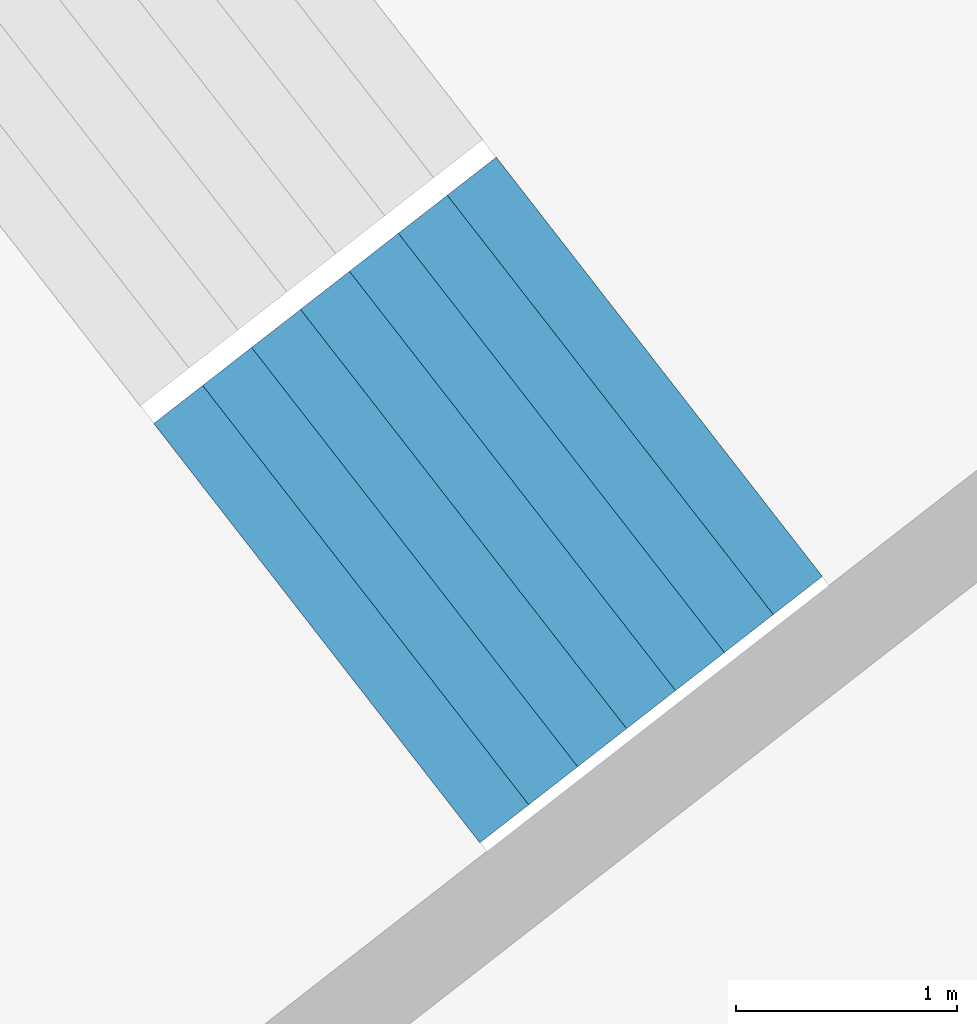
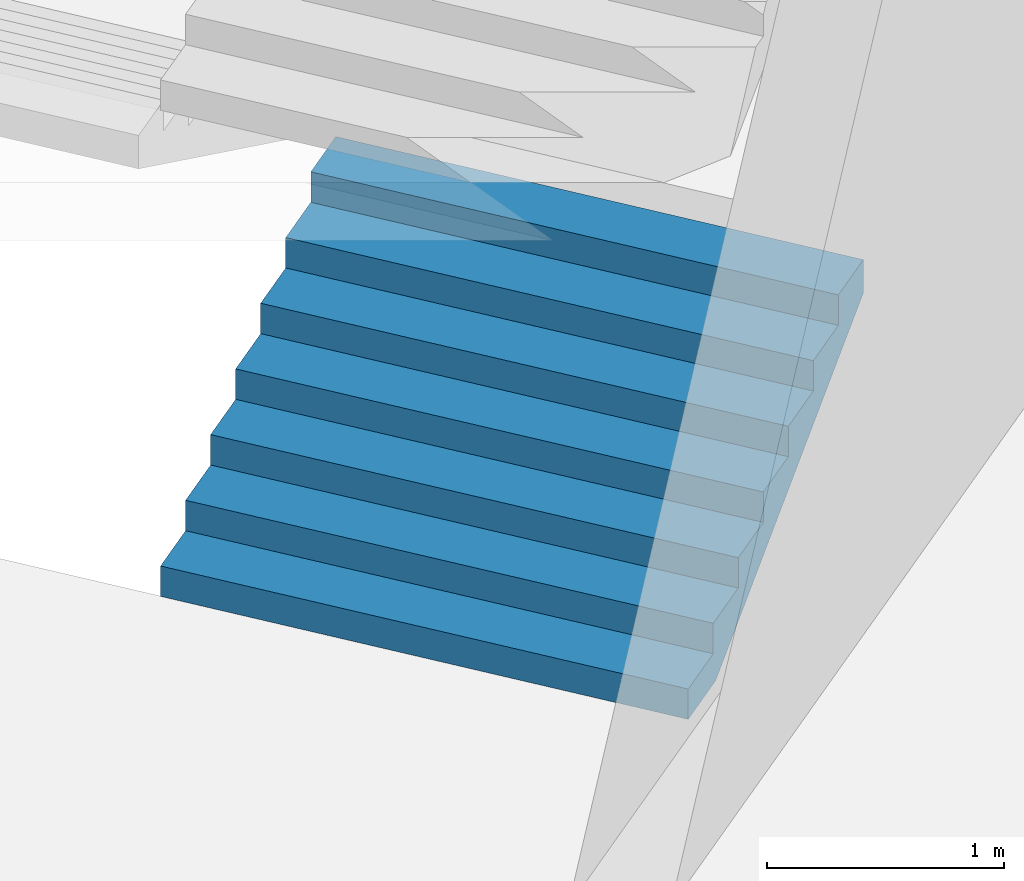
# One storey, part 61 of 73: 1 stair flight, 1 element without a shape of its own.
"""IFC4 building model written with IfcOpenShell, lengths in metres."""

from ifc_helpers import new_model, si_unit, direction, frame, origin, place, context, subcontext, project, spatial, triangles, material, type_object, element, aggregate, save


model = new_model("IFC4")

# Units and contexts
model_context = context("Model", 3, precision=1e-05, world=origin(), true_north=direction((0.0, 1.0)))
body_context = subcontext(model_context, "Body", "Model", "MODEL_VIEW")
ifc_project = project(units=[si_unit("LENGTHUNIT", "METRE"), si_unit("AREAUNIT", "SQUARE_METRE"), si_unit("VOLUMEUNIT", "CUBIC_METRE"), si_unit("PLANEANGLEUNIT", "RADIAN"), si_unit("MASSUNIT", "GRAM", prefix="KILO")], contexts=[model_context])

# Site, building, storey
site_placement = place(None, origin())
site = spatial("IfcSite", under=ifc_project, at=site_placement, CompositionType="ELEMENT")
building_placement = place(site_placement, origin())
building = spatial("IfcBuilding", under=site, at=building_placement, Name="Lantaw Convention Tower", CompositionType="ELEMENT")
storey_placement = place(building_placement, frame((0.0, 0.0, 22.0)))
storey = spatial("IfcBuildingStorey", under=building, at=storey_placement, Name="L03", CompositionType="ELEMENT", Elevation=22.0)

# Stair, stair flight
ifc_material = material(Name="Concrete C35/45", Category="concrete")
stair_type = type_object("IfcStairType", Name="Exit stair 2400 riser 156.25 in 4 flights", PredefinedType="HALF_TURN_STAIR", material=ifc_material)
stair_placement = place(storey_placement, origin())
stair = element("IfcStair", 1, at=stair_placement, inside=storey, type_object=stair_type, Name="Podium exit stair P3 L03", PredefinedType="HALF_TURN_STAIR")
stair_flight_type = type_object("IfcStairFlightType", Name="Stair flight 2400 riser 156.25", PredefinedType="STRAIGHT", material=ifc_material)
stair_flight_placement = place(storey_placement, frame((29.494384765625, 21.3544921875, 0.0), z_axis=(0.0, 0.0, 1.0), x_axis=(0.789378829664, 0.613906396186, 0.0)))
stair_flight = element("IfcStairFlight", 2, at=stair_flight_placement, type_object=stair_flight_type, Name="P3 flight 1", NumberOfRisers=8, NumberOfTreads=7, PredefinedType="STRAIGHT", RiserHeight=0.15625, TreadLength=0.28, context=body_context, shape_type="Tessellation", body=[
    triangles([(0.0, 1.199951171875, 0.0), (0.0, 1.199951171875, 0.15625), (0.28, 1.199951171875, 0.0), (0.28, 1.199951171875, 0.15625), (0.28, 1.199951171875, 0.3125), (0.3076200632058044, 1.199951171875, 0.0), (0.3076200632058044, 1.199951171875, 0.3125), (0.56, 1.199951171875, 0.14083701830033238), (0.56, 1.199951171875, 0.3125), (0.56, 1.199951171875, 0.46875), (0.8400000000000001, 1.199951171875, 0.29708701830033235), (0.8400000000000001, 1.199951171875, 0.46875), (0.8400000000000001, 1.199951171875, 0.625), (1.12, 1.199951171875, 0.45333701830033235), (1.12, 1.199951171875, 0.625), (1.12, 1.199951171875, 0.78125), (1.4000000000000001, 1.199951171875, 0.6095870183003324), (1.4000000000000001, 1.199951171875, 0.78125), (1.4000000000000001, 1.199951171875, 0.9375), (1.6800000000000002, 1.199951171875, 0.7658370183003324), (1.6800000000000002, 1.199951171875, 0.9375), (1.6800000000000002, 1.199951171875, 1.09375), (1.9600000000000002, 1.199951171875, 0.9220870183003324), (1.9600000000000002, 1.199951171875, 1.09375), (0.0, -1.199951171875, 0.0), (0.0, -1.199951171875, 0.15625), (0.28, -1.199951171875, 0.0), (0.28, -1.199951171875, 0.15625), (0.28, -1.199951171875, 0.3125), (0.3076200632058044, -1.199951171875, 0.0), (0.3076200632058044, -1.199951171875, 0.3125), (0.56, -1.199951171875, 0.14083701830033238), (0.56, -1.199951171875, 0.3125), (0.56, -1.199951171875, 0.46875), (0.8400000000000001, -1.199951171875, 0.29708701830033235), (0.8400000000000001, -1.199951171875, 0.46875), (0.8400000000000001, -1.199951171875, 0.625), (1.12, -1.199951171875, 0.45333701830033235), (1.12, -1.199951171875, 0.625), (1.12, -1.199951171875, 0.78125), (1.4000000000000001, -1.199951171875, 0.6095870183003324), (1.4000000000000001, -1.199951171875, 0.78125), (1.4000000000000001, -1.199951171875, 0.9375), (1.6800000000000002, -1.199951171875, 0.7658370183003324), (1.6800000000000002, -1.199951171875, 0.9375), (1.6800000000000002, -1.199951171875, 1.09375), (1.9600000000000002, -1.199951171875, 0.9220870183003324), (1.9600000000000002, -1.199951171875, 1.09375), (0.0, 0.239990234375, 0.15625), (0.0, 0.239990234375, 0.0), (0.0, 0.1919921875, 0.15625), (0.0, 0.1919921875, 0.0), (0.0, 0.143994140625, 0.15625), (0.0, 0.143994140625, 0.0), (0.0, 0.09599609375, 0.15625), (0.0, 0.09599609375, 0.0), (0.0, 0.047998046875, 0.15625), (0.0, 0.047998046875, 0.0), (0.0, 0.0, 0.15625), (0.0, 0.0, 0.0), (0.0, -0.047998046875, 0.15625), (0.0, -0.047998046875, 0.0), (0.0, -0.09599609375, 0.15625), (0.0, -0.09599609375, 0.0), (0.0, -0.143994140625, 0.15625), (0.0, -0.143994140625, 0.0), (0.0, -0.1919921875, 0.15625), (0.0, -0.1919921875, 0.0), (0.0, -0.239990234375, 0.15625), (0.0, -0.239990234375, 0.0), (0.28, 0.239990234375, 0.3125), (0.28, 0.239990234375, 0.15625), (0.28, 0.1919921875, 0.3125), (0.28, 0.1919921875, 0.15625), (0.28, 0.143994140625, 0.3125), (0.28, 0.143994140625, 0.15625), (0.28, 0.09599609375, 0.3125), (0.28, 0.09599609375, 0.15625), (0.28, 0.047998046875, 0.3125), (0.28, 0.047998046875, 0.15625), (0.28, 0.0, 0.3125), (0.28, 0.0, 0.15625), (0.28, -0.047998046875, 0.3125), (0.28, -0.047998046875, 0.15625), (0.28, -0.09599609375, 0.3125), (0.28, -0.09599609375, 0.15625), (0.28, -0.143994140625, 0.3125), (0.28, -0.143994140625, 0.15625), (0.28, -0.1919921875, 0.3125), (0.28, -0.1919921875, 0.15625), (0.28, -0.239990234375, 0.3125), (0.28, -0.239990234375, 0.15625), (0.56, 0.239990234375, 0.46875), (0.56, 0.239990234375, 0.3125), (0.56, 0.1919921875, 0.46875), (0.56, 0.1919921875, 0.3125), (0.56, 0.143994140625, 0.46875), (0.56, 0.143994140625, 0.3125), (0.56, 0.09599609375, 0.46875), (0.56, 0.09599609375, 0.3125), (0.56, 0.047998046875, 0.46875), (0.56, 0.047998046875, 0.3125), (0.56, 0.0, 0.46875), (0.56, 0.0, 0.3125), (0.56, -0.047998046875, 0.46875), (0.56, -0.047998046875, 0.3125), (0.56, -0.09599609375, 0.46875), (0.56, -0.09599609375, 0.3125), (0.56, -0.143994140625, 0.46875), (0.56, -0.143994140625, 0.3125), (0.56, -0.1919921875, 0.46875), (0.56, -0.1919921875, 0.3125), (0.56, -0.239990234375, 0.46875), (0.56, -0.239990234375, 0.3125), (0.8400000000000001, 0.239990234375, 0.625), (0.8400000000000001, 0.239990234375, 0.46875), (0.8400000000000001, 0.1919921875, 0.625), (0.8400000000000001, 0.1919921875, 0.46875), (0.8400000000000001, 0.143994140625, 0.625), (0.8400000000000001, 0.143994140625, 0.46875), (0.8400000000000001, 0.09599609375, 0.625), (0.8400000000000001, 0.09599609375, 0.46875), (0.8400000000000001, 0.047998046875, 0.625), (0.8400000000000001, 0.047998046875, 0.46875), (0.8400000000000001, 0.0, 0.625), (0.8400000000000001, 0.0, 0.46875), (0.8400000000000001, -0.047998046875, 0.625), (0.8400000000000001, -0.047998046875, 0.46875), (0.8400000000000001, -0.09599609375, 0.625), (0.8400000000000001, -0.09599609375, 0.46875), (0.8400000000000001, -0.143994140625, 0.625), (0.8400000000000001, -0.143994140625, 0.46875), (0.8400000000000001, -0.1919921875, 0.625), (0.8400000000000001, -0.1919921875, 0.46875), (0.8400000000000001, -0.239990234375, 0.625), (0.8400000000000001, -0.239990234375, 0.46875), (1.12, 0.239990234375, 0.78125), (1.12, 0.239990234375, 0.625), (1.12, 0.1919921875, 0.78125), (1.12, 0.1919921875, 0.625), (1.12, 0.143994140625, 0.78125), (1.12, 0.143994140625, 0.625), (1.12, 0.09599609375, 0.78125), (1.12, 0.09599609375, 0.625), (1.12, 0.047998046875, 0.78125), (1.12, 0.047998046875, 0.625), (1.12, 0.0, 0.78125), (1.12, 0.0, 0.625), (1.12, -0.047998046875, 0.78125), (1.12, -0.047998046875, 0.625), (1.12, -0.09599609375, 0.78125), (1.12, -0.09599609375, 0.625), (1.12, -0.143994140625, 0.78125), (1.12, -0.143994140625, 0.625), (1.12, -0.1919921875, 0.78125), (1.12, -0.1919921875, 0.625), (1.12, -0.239990234375, 0.78125), (1.12, -0.239990234375, 0.625), (1.4000000000000001, 0.239990234375, 0.9375), (1.4000000000000001, 0.239990234375, 0.78125), (1.4000000000000001, 0.1919921875, 0.9375), (1.4000000000000001, 0.1919921875, 0.78125), (1.4000000000000001, 0.143994140625, 0.9375), (1.4000000000000001, 0.143994140625, 0.78125), (1.4000000000000001, 0.09599609375, 0.9375), (1.4000000000000001, 0.09599609375, 0.78125), (1.4000000000000001, 0.047998046875, 0.9375), (1.4000000000000001, 0.047998046875, 0.78125), (1.4000000000000001, 0.0, 0.9375), (1.4000000000000001, 0.0, 0.78125), (1.4000000000000001, -0.047998046875, 0.9375), (1.4000000000000001, -0.047998046875, 0.78125), (1.4000000000000001, -0.09599609375, 0.9375), (1.4000000000000001, -0.09599609375, 0.78125), (1.4000000000000001, -0.143994140625, 0.9375), (1.4000000000000001, -0.143994140625, 0.78125), (1.4000000000000001, -0.1919921875, 0.9375), (1.4000000000000001, -0.1919921875, 0.78125), (1.4000000000000001, -0.239990234375, 0.9375), (1.4000000000000001, -0.239990234375, 0.78125), (1.6800000000000002, 0.239990234375, 1.09375), (1.6800000000000002, 0.239990234375, 0.9375), (1.6800000000000002, 0.1919921875, 1.09375), (1.6800000000000002, 0.1919921875, 0.9375), (1.6800000000000002, 0.143994140625, 1.09375), (1.6800000000000002, 0.143994140625, 0.9375), (1.6800000000000002, 0.09599609375, 1.09375), (1.6800000000000002, 0.09599609375, 0.9375), (1.6800000000000002, 0.047998046875, 1.09375), (1.6800000000000002, 0.047998046875, 0.9375), (1.6800000000000002, 0.0, 1.09375), (1.6800000000000002, 0.0, 0.9375), (1.6800000000000002, -0.047998046875, 1.09375), (1.6800000000000002, -0.047998046875, 0.9375), (1.6800000000000002, -0.09599609375, 1.09375), (1.6800000000000002, -0.09599609375, 0.9375), (1.6800000000000002, -0.143994140625, 1.09375), (1.6800000000000002, -0.143994140625, 0.9375), (1.6800000000000002, -0.1919921875, 1.09375), (1.6800000000000002, -0.1919921875, 0.9375), (1.6800000000000002, -0.239990234375, 1.09375), (1.6800000000000002, -0.239990234375, 0.9375), (0.3076200632058044, 0.239990234375, 0.3125), (0.3076200632058044, 0.1919921875, 0.3125), (0.3076200632058044, 0.143994140625, 0.3125), (0.3076200632058044, 0.09599609375, 0.3125), (0.3076200632058044, 0.047998046875, 0.3125), (0.3076200632058044, 0.0, 0.3125), (0.3076200632058044, -0.047998046875, 0.3125), (0.3076200632058044, -0.09599609375, 0.3125), (0.3076200632058044, -0.143994140625, 0.3125), (0.3076200632058044, -0.1919921875, 0.3125), (0.3076200632058044, -0.239990234375, 0.3125), (1.9600000000000002, 0.239990234375, 1.09375), (1.9600000000000002, 0.1919921875, 1.09375), (1.9600000000000002, 0.143994140625, 1.09375), (1.9600000000000002, 0.09599609375, 1.09375), (1.9600000000000002, 0.047998046875, 1.09375), (1.9600000000000002, 0.0, 1.09375), (1.9600000000000002, -0.047998046875, 1.09375), (1.9600000000000002, -0.09599609375, 1.09375), (1.9600000000000002, -0.143994140625, 1.09375), (1.9600000000000002, -0.1919921875, 1.09375), (1.9600000000000002, -0.239990234375, 1.09375), (1.9600000000000002, 0.239990234375, 0.9220870183003324), (1.9600000000000002, 0.1919921875, 0.9220870183003324), (1.9600000000000002, 0.143994140625, 0.9220870183003324), (1.9600000000000002, 0.09599609375, 0.9220870183003324), (1.9600000000000002, 0.047998046875, 0.9220870183003324), (1.9600000000000002, 0.0, 0.9220870183003324), (1.9600000000000002, -0.047998046875, 0.9220870183003324), (1.9600000000000002, -0.09599609375, 0.9220870183003324), (1.9600000000000002, -0.143994140625, 0.9220870183003324), (1.9600000000000002, -0.1919921875, 0.9220870183003324), (1.9600000000000002, -0.239990234375, 0.9220870183003324), (1.6800000000000002, 0.239990234375, 0.7658370183003324), (1.6800000000000002, 0.1919921875, 0.7658370183003324), (1.6800000000000002, 0.143994140625, 0.7658370183003324), (1.6800000000000002, 0.09599609375, 0.7658370183003324), (1.6800000000000002, 0.047998046875, 0.7658370183003324), (1.6800000000000002, 0.0, 0.7658370183003324), (1.6800000000000002, -0.047998046875, 0.7658370183003324), (1.6800000000000002, -0.09599609375, 0.7658370183003324), (1.6800000000000002, -0.143994140625, 0.7658370183003324), (1.6800000000000002, -0.1919921875, 0.7658370183003324), (1.6800000000000002, -0.239990234375, 0.7658370183003324), (1.4000000000000001, 0.239990234375, 0.6095870183003324), (1.4000000000000001, 0.1919921875, 0.6095870183003324), (1.4000000000000001, 0.143994140625, 0.6095870183003324), (1.4000000000000001, 0.09599609375, 0.6095870183003324), (1.4000000000000001, 0.047998046875, 0.6095870183003324), (1.4000000000000001, 0.0, 0.6095870183003324), (1.4000000000000001, -0.047998046875, 0.6095870183003324), (1.4000000000000001, -0.09599609375, 0.6095870183003324), (1.4000000000000001, -0.143994140625, 0.6095870183003324), (1.4000000000000001, -0.1919921875, 0.6095870183003324), (1.4000000000000001, -0.239990234375, 0.6095870183003324), (1.12, 0.239990234375, 0.45333701830033235), (1.12, 0.1919921875, 0.45333701830033235), (1.12, 0.143994140625, 0.45333701830033235), (1.12, 0.09599609375, 0.45333701830033235), (1.12, 0.047998046875, 0.45333701830033235), (1.12, 0.0, 0.45333701830033235), (1.12, -0.047998046875, 0.45333701830033235), (1.12, -0.09599609375, 0.45333701830033235), (1.12, -0.143994140625, 0.45333701830033235), (1.12, -0.1919921875, 0.45333701830033235), (1.12, -0.239990234375, 0.45333701830033235), (0.8400000000000001, 0.239990234375, 0.29708701830033235), (0.8400000000000001, 0.1919921875, 0.29708701830033235), (0.8400000000000001, 0.143994140625, 0.29708701830033235), (0.8400000000000001, 0.09599609375, 0.29708701830033235), (0.8400000000000001, 0.047998046875, 0.29708701830033235), (0.8400000000000001, 0.0, 0.29708701830033235), (0.8400000000000001, -0.047998046875, 0.29708701830033235), (0.8400000000000001, -0.09599609375, 0.29708701830033235), (0.8400000000000001, -0.143994140625, 0.29708701830033235), (0.8400000000000001, -0.1919921875, 0.29708701830033235), (0.8400000000000001, -0.239990234375, 0.29708701830033235), (0.56, 0.239990234375, 0.14083701830033238), (0.56, 0.1919921875, 0.14083701830033238), (0.56, 0.143994140625, 0.14083701830033238), (0.56, 0.09599609375, 0.14083701830033238), (0.56, 0.047998046875, 0.14083701830033238), (0.56, 0.0, 0.14083701830033238), (0.56, -0.047998046875, 0.14083701830033238), (0.56, -0.09599609375, 0.14083701830033238), (0.56, -0.143994140625, 0.14083701830033238), (0.56, -0.1919921875, 0.14083701830033238), (0.56, -0.239990234375, 0.14083701830033238), (0.3076200632058044, 0.239990234375, 0.0), (0.3076200632058044, 0.1919921875, 0.0), (0.3076200632058044, 0.143994140625, 0.0), (0.3076200632058044, 0.09599609375, 0.0), (0.3076200632058044, 0.047998046875, 0.0), (0.3076200632058044, 0.0, 0.0), (0.3076200632058044, -0.047998046875, 0.0), (0.3076200632058044, -0.09599609375, 0.0), (0.3076200632058044, -0.143994140625, 0.0), (0.3076200632058044, -0.1919921875, 0.0), (0.3076200632058044, -0.239990234375, 0.0), (0.28, 0.239990234375, 0.0), (0.28, 0.1919921875, 0.0), (0.28, 0.143994140625, 0.0), (0.28, 0.09599609375, 0.0), (0.28, 0.047998046875, 0.0), (0.28, 0.0, 0.0), (0.28, -0.047998046875, 0.0), (0.28, -0.09599609375, 0.0), (0.28, -0.143994140625, 0.0), (0.28, -0.1919921875, 0.0), (0.28, -0.239990234375, 0.0)], [[1, 4, 3], [1, 2, 4], [3, 4, 6], [4, 7, 6], [4, 5, 7], [6, 9, 8], [6, 7, 9], [8, 9, 11], [9, 12, 11], [9, 10, 12], [11, 12, 14], [12, 15, 14], [12, 13, 15], [14, 15, 17], [15, 18, 17], [15, 16, 18], [17, 18, 20], [18, 21, 20], [18, 19, 21], [20, 21, 23], [21, 24, 23], [21, 22, 24], [25, 27, 28], [25, 28, 26], [27, 30, 28], [28, 30, 31], [28, 31, 29], [30, 32, 33], [30, 33, 31], [32, 35, 33], [33, 35, 36], [33, 36, 34], [35, 38, 36], [36, 38, 39], [36, 39, 37], [38, 41, 39], [39, 41, 42], [39, 42, 40], [41, 44, 42], [42, 44, 45], [42, 45, 43], [44, 47, 45], [45, 47, 48], [45, 48, 46], [1, 49, 2], [1, 50, 49], [50, 51, 49], [50, 52, 51], [52, 53, 51], [52, 54, 53], [54, 55, 53], [54, 56, 55], [56, 57, 55], [56, 58, 57], [58, 59, 57], [58, 60, 59], [60, 61, 59], [60, 62, 61], [62, 63, 61], [62, 64, 63], [64, 65, 63], [64, 66, 65], [66, 67, 65], [66, 68, 67], [68, 69, 67], [68, 70, 69], [70, 26, 69], [70, 25, 26], [4, 71, 5], [4, 72, 71], [72, 73, 71], [72, 74, 73], [74, 75, 73], [74, 76, 75], [76, 77, 75], [76, 78, 77], [78, 79, 77], [78, 80, 79], [80, 81, 79], [80, 82, 81], [82, 83, 81], [82, 84, 83], [84, 85, 83], [84, 86, 85], [86, 87, 85], [86, 88, 87], [88, 89, 87], [88, 90, 89], [90, 91, 89], [90, 92, 91], [92, 29, 91], [92, 28, 29], [9, 93, 10], [9, 94, 93], [94, 95, 93], [94, 96, 95], [96, 97, 95], [96, 98, 97], [98, 99, 97], [98, 100, 99], [100, 101, 99], [100, 102, 101], [102, 103, 101], [102, 104, 103], [104, 105, 103], [104, 106, 105], [106, 107, 105], [106, 108, 107], [108, 109, 107], [108, 110, 109], [110, 111, 109], [110, 112, 111], [112, 113, 111], [112, 114, 113], [114, 34, 113], [114, 33, 34], [12, 115, 13], [12, 116, 115], [116, 117, 115], [116, 118, 117], [118, 119, 117], [118, 120, 119], [120, 121, 119], [120, 122, 121], [122, 123, 121], [122, 124, 123], [124, 125, 123], [124, 126, 125], [126, 127, 125], [126, 128, 127], [128, 129, 127], [128, 130, 129], [130, 131, 129], [130, 132, 131], [132, 133, 131], [132, 134, 133], [134, 135, 133], [134, 136, 135], [136, 37, 135], [136, 36, 37], [15, 137, 16], [15, 138, 137], [138, 139, 137], [138, 140, 139], [140, 141, 139], [140, 142, 141], [142, 143, 141], [142, 144, 143], [144, 145, 143], [144, 146, 145], [146, 147, 145], [146, 148, 147], [148, 149, 147], [148, 150, 149], [150, 151, 149], [150, 152, 151], [152, 153, 151], [152, 154, 153], [154, 155, 153], [154, 156, 155], [156, 157, 155], [156, 158, 157], [158, 40, 157], [158, 39, 40], [18, 159, 19], [18, 160, 159], [160, 161, 159], [160, 162, 161], [162, 163, 161], [162, 164, 163], [164, 165, 163], [164, 166, 165], [166, 167, 165], [166, 168, 167], [168, 169, 167], [168, 170, 169], [170, 171, 169], [170, 172, 171], [172, 173, 171], [172, 174, 173], [174, 175, 173], [174, 176, 175], [176, 177, 175], [176, 178, 177], [178, 179, 177], [178, 180, 179], [180, 43, 179], [180, 42, 43], [21, 181, 22], [21, 182, 181], [182, 183, 181], [182, 184, 183], [184, 185, 183], [184, 186, 185], [186, 187, 185], [186, 188, 187], [188, 189, 187], [188, 190, 189], [190, 191, 189], [190, 192, 191], [192, 193, 191], [192, 194, 193], [194, 195, 193], [194, 196, 195], [196, 197, 195], [196, 198, 197], [198, 199, 197], [198, 200, 199], [200, 201, 199], [200, 202, 201], [202, 46, 201], [202, 45, 46], [2, 72, 4], [2, 49, 72], [49, 74, 72], [49, 51, 74], [51, 76, 74], [51, 53, 76], [53, 78, 76], [53, 55, 78], [55, 80, 78], [55, 57, 80], [57, 82, 80], [57, 59, 82], [59, 84, 82], [59, 61, 84], [61, 86, 84], [61, 63, 86], [63, 88, 86], [63, 65, 88], [65, 90, 88], [65, 67, 90], [67, 92, 90], [67, 69, 92], [69, 28, 92], [69, 26, 28], [5, 203, 7], [5, 71, 203], [71, 204, 203], [71, 73, 204], [73, 205, 204], [73, 75, 205], [75, 206, 205], [75, 77, 206], [77, 207, 206], [77, 79, 207], [79, 208, 207], [79, 81, 208], [81, 209, 208], [81, 83, 209], [83, 210, 209], [83, 85, 210], [85, 211, 210], [85, 87, 211], [87, 212, 211], [87, 89, 212], [89, 213, 212], [89, 91, 213], [91, 31, 213], [91, 29, 31], [7, 94, 9], [7, 203, 94], [203, 96, 94], [203, 204, 96], [204, 98, 96], [204, 205, 98], [205, 100, 98], [205, 206, 100], [206, 102, 100], [206, 207, 102], [207, 104, 102], [207, 208, 104], [208, 106, 104], [208, 209, 106], [209, 108, 106], [209, 210, 108], [210, 110, 108], [210, 211, 110], [211, 112, 110], [211, 212, 112], [212, 114, 112], [212, 213, 114], [213, 33, 114], [213, 31, 33], [10, 116, 12], [10, 93, 116], [93, 118, 116], [93, 95, 118], [95, 120, 118], [95, 97, 120], [97, 122, 120], [97, 99, 122], [99, 124, 122], [99, 101, 124], [101, 126, 124], [101, 103, 126], [103, 128, 126], [103, 105, 128], [105, 130, 128], [105, 107, 130], [107, 132, 130], [107, 109, 132], [109, 134, 132], [109, 111, 134], [111, 136, 134], [111, 113, 136], [113, 36, 136], [113, 34, 36], [13, 138, 15], [13, 115, 138], [115, 140, 138], [115, 117, 140], [117, 142, 140], [117, 119, 142], [119, 144, 142], [119, 121, 144], [121, 146, 144], [121, 123, 146], [123, 148, 146], [123, 125, 148], [125, 150, 148], [125, 127, 150], [127, 152, 150], [127, 129, 152], [129, 154, 152], [129, 131, 154], [131, 156, 154], [131, 133, 156], [133, 158, 156], [133, 135, 158], [135, 39, 158], [135, 37, 39], [16, 160, 18], [16, 137, 160], [137, 162, 160], [137, 139, 162], [139, 164, 162], [139, 141, 164], [141, 166, 164], [141, 143, 166], [143, 168, 166], [143, 145, 168], [145, 170, 168], [145, 147, 170], [147, 172, 170], [147, 149, 172], [149, 174, 172], [149, 151, 174], [151, 176, 174], [151, 153, 176], [153, 178, 176], [153, 155, 178], [155, 180, 178], [155, 157, 180], [157, 42, 180], [157, 40, 42], [19, 182, 21], [19, 159, 182], [159, 184, 182], [159, 161, 184], [161, 186, 184], [161, 163, 186], [163, 188, 186], [163, 165, 188], [165, 190, 188], [165, 167, 190], [167, 192, 190], [167, 169, 192], [169, 194, 192], [169, 171, 194], [171, 196, 194], [171, 173, 196], [173, 198, 196], [173, 175, 198], [175, 200, 198], [175, 177, 200], [177, 202, 200], [177, 179, 202], [179, 45, 202], [179, 43, 45], [22, 214, 24], [22, 181, 214], [181, 215, 214], [181, 183, 215], [183, 216, 215], [183, 185, 216], [185, 217, 216], [185, 187, 217], [187, 218, 217], [187, 189, 218], [189, 219, 218], [189, 191, 219], [191, 220, 219], [191, 193, 220], [193, 221, 220], [193, 195, 221], [195, 222, 221], [195, 197, 222], [197, 223, 222], [197, 199, 223], [199, 224, 223], [199, 201, 224], [201, 48, 224], [201, 46, 48], [24, 225, 23], [24, 214, 225], [214, 226, 225], [214, 215, 226], [215, 227, 226], [215, 216, 227], [216, 228, 227], [216, 217, 228], [217, 229, 228], [217, 218, 229], [218, 230, 229], [218, 219, 230], [219, 231, 230], [219, 220, 231], [220, 232, 231], [220, 221, 232], [221, 233, 232], [221, 222, 233], [222, 234, 233], [222, 223, 234], [223, 235, 234], [223, 224, 235], [224, 47, 235], [224, 48, 47], [23, 236, 20], [23, 225, 236], [225, 237, 236], [225, 226, 237], [226, 238, 237], [226, 227, 238], [227, 239, 238], [227, 228, 239], [228, 240, 239], [228, 229, 240], [229, 241, 240], [229, 230, 241], [230, 242, 241], [230, 231, 242], [231, 243, 242], [231, 232, 243], [232, 244, 243], [232, 233, 244], [233, 245, 244], [233, 234, 245], [234, 246, 245], [234, 235, 246], [235, 44, 246], [235, 47, 44], [20, 247, 17], [20, 236, 247], [236, 248, 247], [236, 237, 248], [237, 249, 248], [237, 238, 249], [238, 250, 249], [238, 239, 250], [239, 251, 250], [239, 240, 251], [240, 252, 251], [240, 241, 252], [241, 253, 252], [241, 242, 253], [242, 254, 253], [242, 243, 254], [243, 255, 254], [243, 244, 255], [244, 256, 255], [244, 245, 256], [245, 257, 256], [245, 246, 257], [246, 41, 257], [246, 44, 41], [17, 258, 14], [17, 247, 258], [247, 259, 258], [247, 248, 259], [248, 260, 259], [248, 249, 260], [249, 261, 260], [249, 250, 261], [250, 262, 261], [250, 251, 262], [251, 263, 262], [251, 252, 263], [252, 264, 263], [252, 253, 264], [253, 265, 264], [253, 254, 265], [254, 266, 265], [254, 255, 266], [255, 267, 266], [255, 256, 267], [256, 268, 267], [256, 257, 268], [257, 38, 268], [257, 41, 38], [14, 269, 11], [14, 258, 269], [258, 270, 269], [258, 259, 270], [259, 271, 270], [259, 260, 271], [260, 272, 271], [260, 261, 272], [261, 273, 272], [261, 262, 273], [262, 274, 273], [262, 263, 274], [263, 275, 274], [263, 264, 275], [264, 276, 275], [264, 265, 276], [265, 277, 276], [265, 266, 277], [266, 278, 277], [266, 267, 278], [267, 279, 278], [267, 268, 279], [268, 35, 279], [268, 38, 35], [11, 280, 8], [11, 269, 280], [269, 281, 280], [269, 270, 281], [270, 282, 281], [270, 271, 282], [271, 283, 282], [271, 272, 283], [272, 284, 283], [272, 273, 284], [273, 285, 284], [273, 274, 285], [274, 286, 285], [274, 275, 286], [275, 287, 286], [275, 276, 287], [276, 288, 287], [276, 277, 288], [277, 289, 288], [277, 278, 289], [278, 290, 289], [278, 279, 290], [279, 32, 290], [279, 35, 32], [8, 291, 6], [8, 280, 291], [280, 292, 291], [280, 281, 292], [281, 293, 292], [281, 282, 293], [282, 294, 293], [282, 283, 294], [283, 295, 294], [283, 284, 295], [284, 296, 295], [284, 285, 296], [285, 297, 296], [285, 286, 297], [286, 298, 297], [286, 287, 298], [287, 299, 298], [287, 288, 299], [288, 300, 299], [288, 289, 300], [289, 301, 300], [289, 290, 301], [290, 30, 301], [290, 32, 30], [6, 302, 3], [6, 291, 302], [291, 303, 302], [291, 292, 303], [292, 304, 303], [292, 293, 304], [293, 305, 304], [293, 294, 305], [294, 306, 305], [294, 295, 306], [295, 307, 306], [295, 296, 307], [296, 308, 307], [296, 297, 308], [297, 309, 308], [297, 298, 309], [298, 310, 309], [298, 299, 310], [299, 311, 310], [299, 300, 311], [300, 312, 311], [300, 301, 312], [301, 27, 312], [301, 30, 27], [3, 50, 1], [3, 302, 50], [302, 52, 50], [302, 303, 52], [303, 54, 52], [303, 304, 54], [304, 56, 54], [304, 305, 56], [305, 58, 56], [305, 306, 58], [306, 60, 58], [306, 307, 60], [307, 62, 60], [307, 308, 62], [308, 64, 62], [308, 309, 64], [309, 66, 64], [309, 310, 66], [310, 68, 66], [310, 311, 68], [311, 70, 68], [311, 312, 70], [312, 25, 70], [312, 27, 25]], closed=True),
])
aggregate(stair, [stair_flight])

save(model, "model.ifc")
